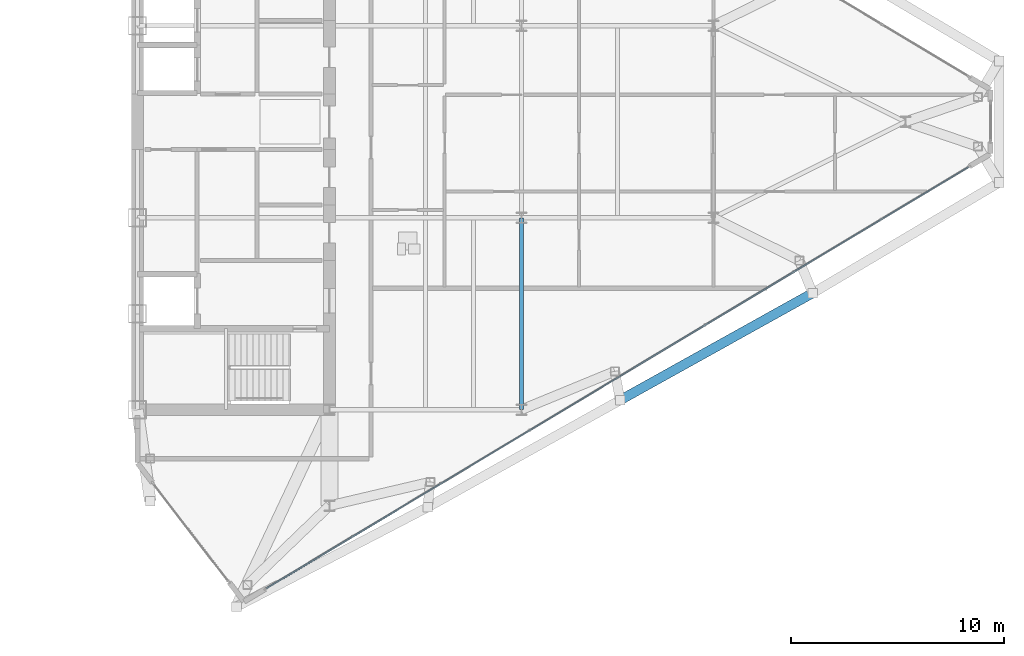
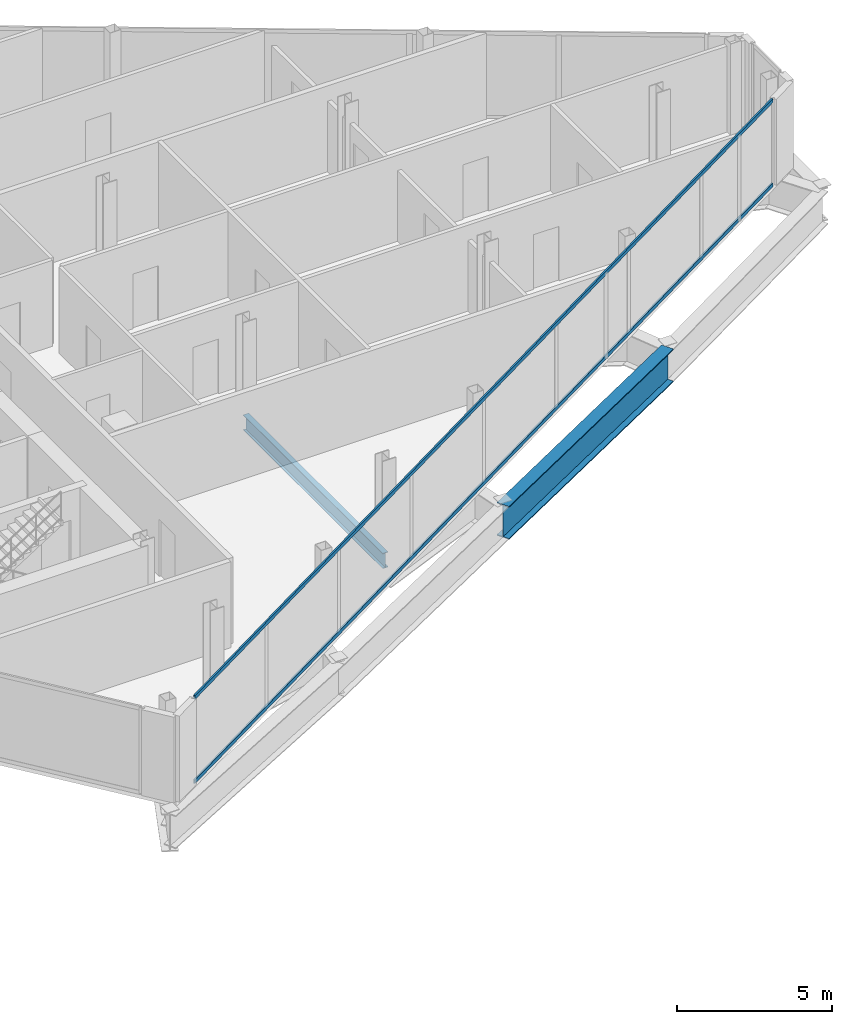
# One storey, part 14 of 29: 2 beams, 2 members, 1 element without a shape of its own.
"""IFC4 building model written with IfcOpenShell, lengths in metres."""

from ifc_helpers import new_model, si_unit, direction, frame, origin, origin_2d, place, context, subcontext, project, spatial, rectangle, i_section, extrude, source, transform, mapped, material, layer, layer_set, material_profile, profile_set, type_object, type_shapes, element, aggregate, save


model = new_model("IFC4")

# Units and contexts
model_context = context("Model", 3, precision=1e-05, world=origin(), true_north=direction((0.0, 1.0)))
body_context = subcontext(model_context, "Body", "Model", "MODEL_VIEW")
ifc_project = project(units=[si_unit("LENGTHUNIT", "METRE"), si_unit("AREAUNIT", "SQUARE_METRE"), si_unit("VOLUMEUNIT", "CUBIC_METRE"), si_unit("PLANEANGLEUNIT", "RADIAN"), si_unit("MASSUNIT", "GRAM", prefix="KILO")], contexts=[model_context])

# Site, building, storey
site_placement = place(None, origin())
site = spatial("IfcSite", under=ifc_project, at=site_placement, CompositionType="ELEMENT")
building_placement = place(site_placement, origin())
building = spatial("IfcBuilding", under=site, at=building_placement, Name="Seokmaru Belvedere", CompositionType="ELEMENT")
storey_placement = place(building_placement, frame((0.0, 0.0, 195.89990234375)))
storey = spatial("IfcBuildingStorey", under=building, at=storey_placement, Name="L52", CompositionType="ELEMENT", Elevation=195.89990234375)

# Beams
ifc_material_1 = material(Name="Steel SM355 (355 MPa)", Category="steel")
ifc_material_profile_1 = material_profile(ifc_material_1, i_section(OverallWidth=0.199951171875, OverallDepth=0.60009765625, WebThickness=0.010986328125, FlangeThickness=0.01708984375, at=origin_2d()), Name="H-600x200x11x17")
ifc_profile_set_1 = profile_set([ifc_material_profile_1], Name="Steel SM355 (355 MPa)")
beam_type_1 = type_object("IfcBeamType", Name="Primary Floor Girder H-600", PredefinedType="BEAM", material=ifc_profile_set_1)
shared_shape_1 = source(origin(), body_context, "Body", "SweptSolid", [
    extrude(i_section(OverallWidth=0.199951171875, OverallDepth=0.60009765625, WebThickness=0.010986328125, FlangeThickness=0.01708984375, at=origin_2d()), origin(), (0.0, 0.0, 1.0), 9.0),
])
type_shapes(beam_type_1, [shared_shape_1])
beam_1_placement = place(storey_placement, frame((45.5, -13.5, -0.52001953125), z_axis=(0.0, 1.0, 0.0), x_axis=(-1.0, 0.0, 0.0)))
element("IfcBeam", 1, at=beam_1_placement, inside=storey, type_object=beam_type_1, Name="L52 E Interior Grid Girder 1", PredefinedType="BEAM", context=body_context, shape_type="MappedRepresentation", body=[
    mapped(shared_shape_1, transform((0.0, 0.0, 0.0), scale=1.0)),
])
ifc_material_2 = material(Name="Steel HSA650 (650 MPa)", Category="steel")
ifc_material_profile_2 = material_profile(ifc_material_2, i_section(OverallWidth=0.449951171875, OverallDepth=1.300048828125, WebThickness=0.02197265625, FlangeThickness=0.0380859375, at=origin_2d()), Name="BH-1300x450x22x38")
ifc_profile_set_2 = profile_set([ifc_material_profile_2], Name="Steel HSA650 (650 MPa)")
beam_type_2 = type_object("IfcBeamType", Name="Observatory Long-Span Roof Girder BH-1300", PredefinedType="BEAM", material=ifc_profile_set_2)
shared_shape_2 = source(origin(), body_context, "Body", "SweptSolid", [
    extrude(i_section(OverallWidth=0.449951171875, OverallDepth=1.300048828125, WebThickness=0.02197265625, FlangeThickness=0.0380859375, at=origin_2d()), origin(), (0.0, 0.0, 1.0), 10.327392578125),
])
type_shapes(beam_type_2, [shared_shape_2])
beam_2_placement = place(storey_placement, frame((50.129150390625, -13.051025390625, -0.869873046875), z_axis=(0.873934162361, 0.48604431882, 0.0), x_axis=(-0.48604431882, 0.873934162361, 0.0)))
element("IfcBeam", 2, at=beam_2_placement, inside=storey, type_object=beam_type_2, Name="L52 E Faceted Flank Spandrel S-3", PredefinedType="BEAM", context=body_context, shape_type="MappedRepresentation", body=[
    mapped(shared_shape_2, transform((0.0, 0.0, 0.0), scale=1.0)),
])

# Curtain wall, members
ifc_material_3 = material(Name="Bronze Triple Insulating Glass", Category="glass")
ifc_layer = layer(ifc_material_3, 0.179931640625)
ifc_layer_set = layer_set([ifc_layer], Name="Bronze Triple Insulating Glass")
curtain_wall_type = type_object("IfcCurtainWallType", Name="High-Rise Wind-Corner Curtain Wall System CW-5", PredefinedType="NOTDEFINED", material=ifc_layer_set)
curtain_wall_placement = place(storey_placement, origin())
curtain_wall = element("IfcCurtainWall", 3, at=curtain_wall_placement, inside=storey, type_object=curtain_wall_type, Name="L52 Curtain Wall EF1", PredefinedType="NOTDEFINED")
ifc_material_4 = material(Name="Anodised Bronze Aluminium", Category="aluminium")
ifc_material_profile_3 = material_profile(ifc_material_4, rectangle(XDim=0.06494140625, YDim=0.14990234375, at=origin_2d()), Name="CW-T-65x150")
ifc_profile_set_3 = profile_set([ifc_material_profile_3], Name="Anodised Bronze Aluminium")
member_type = type_object("IfcMemberType", Name="Bronze Unitised Transom 65x150", PredefinedType="USERDEFINED", material=ifc_profile_set_3)
shared_shape_3 = source(origin(), body_context, "Body", "SweptSolid", [
    extrude(rectangle(XDim=0.06494140625, YDim=0.14990234375, at=origin_2d()), origin(), (0.0, 0.0, 1.0), 38.386962890625),
])
type_shapes(member_type, [shared_shape_3])
member_1_placement = place(storey_placement, frame((33.541748046875, -21.875, 0.03271484375), z_axis=(0.85749180336, 0.514497626011, 0.0), x_axis=(-0.514497626011, 0.85749180336, 0.0)))
member_1 = element("IfcMember", 4, at=member_1_placement, type_object=member_type, Name="CW:L52:EF1 Continuous Transom 1", ObjectType="TRANSOM", PredefinedType="USERDEFINED", context=body_context, shape_type="MappedRepresentation", body=[
    mapped(shared_shape_3, transform((0.0, 0.0, 0.0), scale=1.0)),
])
member_2_placement = place(storey_placement, frame((33.541748046875, -21.875, 3.34765625), z_axis=(0.85749180336, 0.514497626011, 0.0), x_axis=(-0.514497626011, 0.85749180336, 0.0)))
member_2 = element("IfcMember", 5, at=member_2_placement, type_object=member_type, Name="CW:L52:EF1 Continuous Transom 2", ObjectType="TRANSOM", PredefinedType="USERDEFINED", context=body_context, shape_type="MappedRepresentation", body=[
    mapped(shared_shape_3, transform((0.0, 0.0, 0.0), scale=1.0)),
])
aggregate(curtain_wall, [member_1, member_2])

save(model, "model.ifc")
